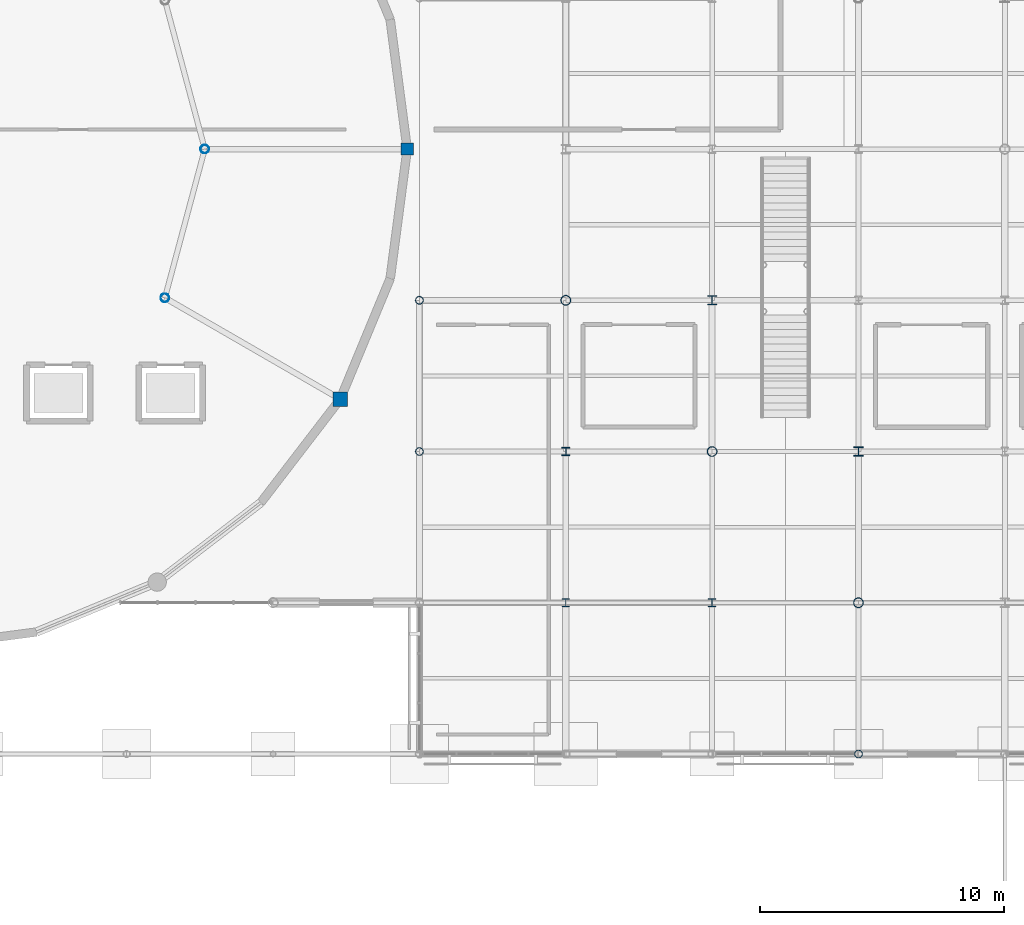
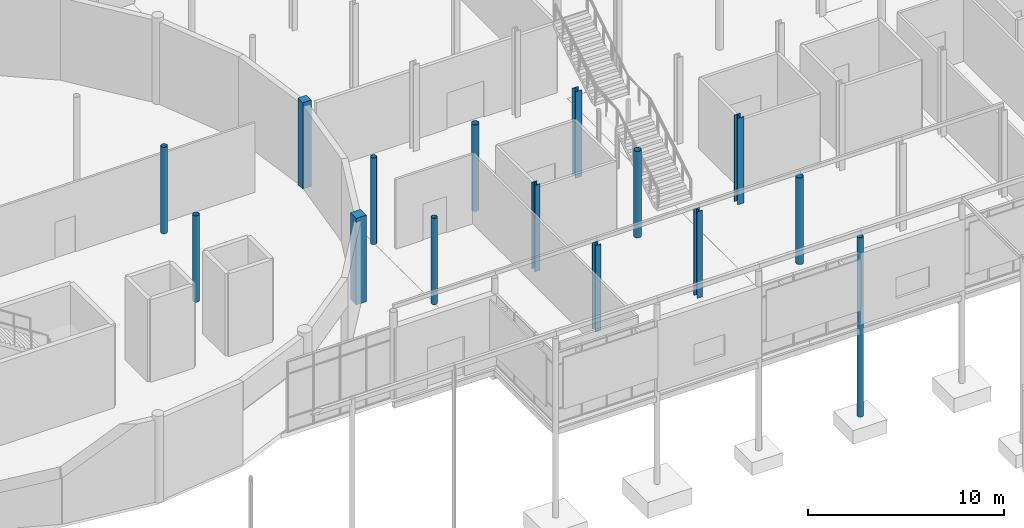
# One storey, part 13 of 98: 15 columns.
"""IFC4 building model written with IfcOpenShell, lengths in metres."""

from ifc_helpers import new_model, si_unit, direction, frame, origin, origin_2d, place, context, subcontext, project, spatial, rectangle, hollow_circle, i_section, extrude, material, material_profile, profile_set, type_object, element, save


model = new_model("IFC4")

# Units and contexts
model_context = context("Model", 3, precision=1e-05, world=origin(), true_north=direction((0.0, 1.0)))
body_context = subcontext(model_context, "Body", "Model", "MODEL_VIEW")
ifc_project = project(units=[si_unit("LENGTHUNIT", "METRE"), si_unit("AREAUNIT", "SQUARE_METRE"), si_unit("VOLUMEUNIT", "CUBIC_METRE"), si_unit("PLANEANGLEUNIT", "RADIAN"), si_unit("MASSUNIT", "GRAM", prefix="KILO")], contexts=[model_context])

# Site, building, storey
site_placement = place(None, origin())
site = spatial("IfcSite", under=ifc_project, at=site_placement, CompositionType="ELEMENT")
building_placement = place(site_placement, origin())
building = spatial("IfcBuilding", under=site, at=building_placement, Name="Mirzam Square Science Centre", CompositionType="ELEMENT")
storey_placement = place(building_placement, origin())
storey = spatial("IfcBuildingStorey", under=building, at=storey_placement, Name="L00", CompositionType="ELEMENT", Elevation=0.0)

# Columns
ifc_material_1 = material(Name="Steel S355", Category="steel")
ifc_material_profile_1 = material_profile(ifc_material_1, hollow_circle(Radius=0.161865234375, WallThickness=0.012451171875, at=origin_2d()), Name="323.9x12.5CHS")
ifc_profile_set_1 = profile_set([ifc_material_profile_1], Name="Steel S355")
column_type_1 = type_object("IfcColumnType", Name="COL-CHS324", PredefinedType="COLUMN", material=ifc_profile_set_1)
for number, where, z_axis, x_axis, name in (
    (1, (102.0, 49.60009765625, 0.0), (0.0, 0.0, 1.0), (1.0, 0.0, 0.0), "L00 column G18-09"),
    (2, (102.0, 55.800048828125, 0.0), (0.0, 0.0, 1.0), (1.0, 0.0, 0.0), "L00 column G18-10"),
):
    element("IfcColumn", number, at=place(storey_placement, frame(where, z_axis=z_axis, x_axis=x_axis)), inside=storey, type_object=column_type_1, Name=name, PredefinedType="COLUMN", context=body_context, shape_type="SweptSolid", body=[
        extrude(hollow_circle(Radius=0.161865234375, WallThickness=0.012451171875, at=origin_2d()), origin(), (0.0, 0.0, 1.0), 5.39990234375),
    ])
column_1_placement = place(storey_placement, frame((120.0, 37.199951171875, -5.800048828125), z_axis=(0.0, 0.0, 1.0), x_axis=(1.0, 0.0, 0.0)))
element("IfcColumn", 3, at=column_1_placement, inside=storey, type_object=column_type_1, Name="L00 column G21-07", PredefinedType="COLUMN", context=body_context, shape_type="SweptSolid", body=[
    extrude(hollow_circle(Radius=0.161865234375, WallThickness=0.012451171875, at=origin_2d()), origin(), (0.0, 0.0, 1.0), 11.199951171875),
])
ifc_material_profile_2 = material_profile(ifc_material_1, hollow_circle(Radius=0.177734375, WallThickness=0.012451171875, at=origin_2d()), Name="355.6x12.5CHS")
ifc_profile_set_2 = profile_set([ifc_material_profile_2], Name="Steel S355")
column_type_2 = type_object("IfcColumnType", Name="COL-CHS355", PredefinedType="COLUMN", material=ifc_profile_set_2)
for number, where, z_axis, x_axis, name in (
    (4, (93.199951171875, 62.0, 0.0), (0.0, 0.0, 1.0), (1.0, 0.0, 0.0), "L00 inner drum column 01"),
    (5, (91.5654296875, 55.89990234375, 0.0), (0.0, 0.0, 1.0), (1.0, 0.0, 0.0), "L00 inner drum column 12"),
):
    element("IfcColumn", number, at=place(storey_placement, frame(where, z_axis=z_axis, x_axis=x_axis)), inside=storey, type_object=column_type_2, Name=name, PredefinedType="COLUMN", context=body_context, shape_type="SweptSolid", body=[
        extrude(hollow_circle(Radius=0.177734375, WallThickness=0.012451171875, at=origin_2d()), origin(), (0.0, 0.0, 1.0), 5.39990234375),
    ])
ifc_material_profile_3 = material_profile(ifc_material_1, hollow_circle(Radius=0.203125, WallThickness=0.01611328125, at=origin_2d()), Name="406.4x16.0CHS")
ifc_profile_set_3 = profile_set([ifc_material_profile_3], Name="Steel S355")
column_type_3 = type_object("IfcColumnType", Name="COL-CHS406", PredefinedType="COLUMN", material=ifc_profile_set_3)
for number, where, z_axis, x_axis, name in (
    (6, (108.0, 55.800048828125, 0.0), (0.0, 0.0, 1.0), (1.0, 0.0, 0.0), "L00 column G19-10"),
    (7, (114.0, 49.60009765625, 0.0), (0.0, 0.0, 1.0), (1.0, 0.0, 0.0), "L00 column G20-09"),
    (8, (120.0, 43.39990234375, 0.0), (0.0, 0.0, 1.0), (1.0, 0.0, 0.0), "L00 column G21-08"),
):
    element("IfcColumn", number, at=place(storey_placement, frame(where, z_axis=z_axis, x_axis=x_axis)), inside=storey, type_object=column_type_3, Name=name, PredefinedType="COLUMN", context=body_context, shape_type="SweptSolid", body=[
        extrude(hollow_circle(Radius=0.203125, WallThickness=0.01611328125, at=origin_2d()), origin(), (0.0, 0.0, 1.0), 5.39990234375),
    ])
ifc_material_profile_4 = material_profile(ifc_material_1, i_section(OverallWidth=0.314453125, OverallDepth=0.33984375, WebThickness=0.01904296875, FlangeThickness=0.031494140625, FilletRadius=0.01513671875, at=origin_2d()), Name="305x305x198UC")
ifc_profile_set_4 = profile_set([ifc_material_profile_4], Name="Steel S355")
column_type_4 = type_object("IfcColumnType", Name="COL-UC305B", PredefinedType="COLUMN", material=ifc_profile_set_4)
for number, where, z_axis, x_axis, name in (
    (9, (108.0, 49.60009765625, 0.0), (0.0, 0.0, 1.0), (1.0, 0.0, 0.0), "L00 column G19-09"),
    (10, (114.0, 43.39990234375, 0.0), (0.0, 0.0, 1.0), (1.0, 0.0, 0.0), "L00 column G20-08"),
):
    element("IfcColumn", number, at=place(storey_placement, frame(where, z_axis=z_axis, x_axis=x_axis)), inside=storey, type_object=column_type_4, Name=name, PredefinedType="COLUMN", context=body_context, shape_type="SweptSolid", body=[
        extrude(i_section(OverallWidth=0.314453125, OverallDepth=0.33984375, WebThickness=0.01904296875, FlangeThickness=0.031494140625, FilletRadius=0.01513671875, at=origin_2d()), origin(), (0.0, 0.0, 1.0), 5.39990234375),
    ])
ifc_material_profile_5 = material_profile(ifc_material_1, i_section(OverallWidth=0.318359375, OverallDepth=0.3525390625, WebThickness=0.02294921875, FlangeThickness=0.03759765625, FilletRadius=0.01513671875, at=origin_2d()), Name="305x305x240UC")
ifc_profile_set_5 = profile_set([ifc_material_profile_5], Name="Steel S355")
column_type_5 = type_object("IfcColumnType", Name="COL-UC305C", PredefinedType="COLUMN", material=ifc_profile_set_5)
column_2_placement = place(storey_placement, frame((108.0, 43.39990234375, 0.0), z_axis=(0.0, 0.0, 1.0), x_axis=(1.0, 0.0, 0.0)))
element("IfcColumn", 11, at=column_2_placement, inside=storey, type_object=column_type_5, Name="L00 column G19-08", PredefinedType="COLUMN", context=body_context, shape_type="SweptSolid", body=[
    extrude(i_section(OverallWidth=0.318359375, OverallDepth=0.3525390625, WebThickness=0.02294921875, FlangeThickness=0.03759765625, FilletRadius=0.01513671875, at=origin_2d()), origin(), (0.0, 0.0, 1.0), 5.39990234375),
])
ifc_material_profile_6 = material_profile(ifc_material_1, i_section(OverallWidth=0.374755859375, OverallDepth=0.37451171875, WebThickness=0.0166015625, FlangeThickness=0.027099609375, FilletRadius=0.01513671875, at=origin_2d()), Name="356x368x202UC")
ifc_profile_set_6 = profile_set([ifc_material_profile_6], Name="Steel S355")
column_type_6 = type_object("IfcColumnType", Name="COL-UC356A", PredefinedType="COLUMN", material=ifc_profile_set_6)
for number, where, z_axis, x_axis, name in (
    (12, (114.0, 55.800048828125, 0.0), (0.0, 0.0, 1.0), (1.0, 0.0, 0.0), "L00 column G20-10"),
    (13, (120.0, 49.60009765625, 0.0), (0.0, 0.0, 1.0), (1.0, 0.0, 0.0), "L00 column G21-09"),
):
    element("IfcColumn", number, at=place(storey_placement, frame(where, z_axis=z_axis, x_axis=x_axis)), inside=storey, type_object=column_type_6, Name=name, PredefinedType="COLUMN", context=body_context, shape_type="SweptSolid", body=[
        extrude(i_section(OverallWidth=0.374755859375, OverallDepth=0.37451171875, WebThickness=0.0166015625, FlangeThickness=0.027099609375, FilletRadius=0.01513671875, at=origin_2d()), origin(), (0.0, 0.0, 1.0), 5.39990234375),
    ])
ifc_material_2 = material(Name="Concrete C45/55", Category="concrete")
ifc_material_profile_7 = material_profile(ifc_material_2, rectangle(XDim=0.5, YDim=0.5, at=origin_2d()), Name="RC500x500")
ifc_profile_set_7 = profile_set([ifc_material_profile_7], Name="Concrete C45/55")
column_type_7 = type_object("IfcColumnType", Name="PIL-RC500", PredefinedType="PILASTER", material=ifc_profile_set_7)
column_3_placement = place(storey_placement, frame((101.5, 62.0, 0.0), z_axis=(0.0, 0.0, 1.0), x_axis=(1.0, 0.0, 0.0)))
element("IfcColumn", 14, at=column_3_placement, inside=storey, type_object=column_type_7, Name="L00 drum pilaster 01", PredefinedType="PILASTER", context=body_context, shape_type="SweptSolid", body=[
    extrude(rectangle(XDim=0.5, YDim=0.5, at=origin_2d()), origin(), (0.0, 0.0, 1.0), 5.39990234375),
])
ifc_material_profile_8 = material_profile(ifc_material_2, rectangle(XDim=0.60009765625, YDim=0.60009765625, at=origin_2d()), Name="RC600x600")
ifc_profile_set_8 = profile_set([ifc_material_profile_8], Name="Concrete C45/55")
column_type_8 = type_object("IfcColumnType", Name="PIL-RC600", PredefinedType="PILASTER", material=ifc_profile_set_8)
column_4_placement = place(storey_placement, frame((98.75341796875, 51.75, 0.0), z_axis=(0.0, 0.0, 1.0), x_axis=(1.0, 0.0, 0.0)))
element("IfcColumn", 15, at=column_4_placement, inside=storey, type_object=column_type_8, Name="L00 drum pilaster 23", PredefinedType="PILASTER", context=body_context, shape_type="SweptSolid", body=[
    extrude(rectangle(XDim=0.60009765625, YDim=0.60009765625, at=origin_2d()), origin(), (0.0, 0.0, 1.0), 5.39990234375),
])

save(model, "model.ifc")
